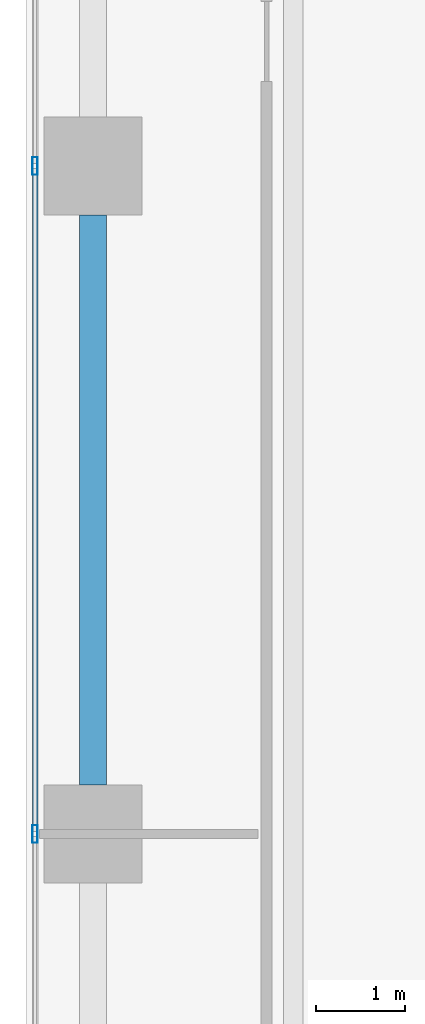
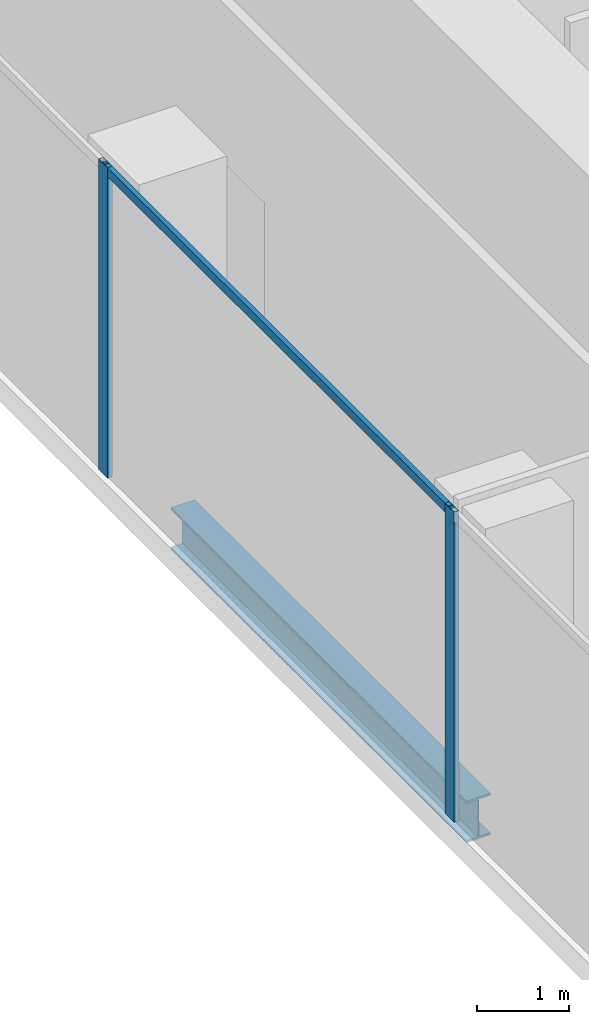
# One storey, part 7 of 34: 3 members, 1 beam, 1 element without a shape of its own.
"""IFC4 building model written with IfcOpenShell, lengths in metres."""

from ifc_helpers import new_model, si_unit, direction, frame, origin, origin_2d, place, context, subcontext, project, spatial, hollow_rectangle, i_section, extrude, source, transform, mapped, material, material_profile, profile_set, type_object, element, aggregate, save


model = new_model("IFC4")

# Units and contexts
model_context = context("Model", 3, precision=1e-05, world=origin(), true_north=direction((0.0, 1.0)))
body_context = subcontext(model_context, "Body", "Model", "MODEL_VIEW")
ifc_project = project(units=[si_unit("LENGTHUNIT", "METRE"), si_unit("AREAUNIT", "SQUARE_METRE"), si_unit("VOLUMEUNIT", "CUBIC_METRE"), si_unit("PLANEANGLEUNIT", "RADIAN"), si_unit("MASSUNIT", "GRAM", prefix="KILO")], contexts=[model_context])

# Site, building, storey
site_placement = place(None, origin())
site = spatial("IfcSite", under=ifc_project, at=site_placement, CompositionType="ELEMENT")
building_placement = place(site_placement, origin())
building = spatial("IfcBuilding", under=site, at=building_placement, Name="Khomas Fold Tower", CompositionType="ELEMENT")
storey_placement = place(building_placement, frame((0.0, 0.0, 105.89990234375)))
storey = spatial("IfcBuildingStorey", under=building, at=storey_placement, Name="L22", CompositionType="ELEMENT", Elevation=105.89990234375)

# Beam
ifc_material_1 = material(Name="Steel S355", Category="steel")
ifc_material_profile_1 = material_profile(ifc_material_1, i_section(OverallWidth=0.300048828125, OverallDepth=0.550048828125, WebThickness=0.014892578125, FlangeThickness=0.029052734375, at=origin_2d()), Name="HE 550 B")
ifc_profile_set_1 = profile_set([ifc_material_profile_1], Name="Steel S355")
beam_type = type_object("IfcBeamType", Name="HE 550 B spandrel SB2", PredefinedType="SPANDREL", material=ifc_profile_set_1)
shared_shape_1 = source(origin(), body_context, "Body", "SweptSolid", [
    extrude(i_section(OverallWidth=0.300048828125, OverallDepth=0.550048828125, WebThickness=0.014892578125, FlangeThickness=0.029052734375, at=origin_2d()), origin(), (0.0, 0.0, 1.0), 6.39990234375),
])
beam_placement = place(storey_placement, frame((2.25, 20.050048828125, -0.574951171875), z_axis=(0.0, 1.0, 0.0), x_axis=(-1.0, 0.0, 0.0)))
element("IfcBeam", 1, at=beam_placement, inside=storey, type_object=beam_type, Name="SB2", PredefinedType="SPANDREL", context=body_context, shape_type="MappedRepresentation", body=[
    mapped(shared_shape_1, transform((0.0, 0.0, 0.0))),
])

# Curtain wall, members
ifc_material_2 = material(Name="Aluminium framed double glazing", Category="aluminium")
curtain_wall_type = type_object("IfcCurtainWallType", Name="SK-Unitised clear-glass wall, growing floors CW1", PredefinedType="NOTDEFINED", material=ifc_material_2)
curtain_wall_placement = place(storey_placement, origin())
curtain_wall = element("IfcCurtainWall", 2, at=curtain_wall_placement, inside=storey, type_object=curtain_wall_type, Name="CW1 run L22 09-0", PredefinedType="NOTDEFINED")
ifc_material_3 = material(Name="Aluminium", Category="aluminium")
ifc_material_profile_2 = material_profile(ifc_material_3, hollow_rectangle(XDim=0.06005859375, YDim=0.1201171875, WallThickness=0.00390625, at=origin_2d()), Name="SK-Unitised clear-glass wall, growing floors transom CW1-T")
ifc_profile_set_2 = profile_set([ifc_material_profile_2], Name="Aluminium")
member_type_1 = type_object("IfcMemberType", Name="SK-Unitised clear-glass wall, growing floors transom CW1-T", PredefinedType="USERDEFINED", material=ifc_profile_set_2)
shared_shape_2 = source(origin(), body_context, "Body", "SweptSolid", [
    extrude(hollow_rectangle(XDim=0.06005859375, YDim=0.1201171875, WallThickness=0.00390625, at=origin_2d()), origin(), (0.0, 0.0, 1.0), 7.43994140625),
])
member_1_placement = place(storey_placement, frame((1.60009765625, 26.969970703125, 4.0400390625), z_axis=(0.0, -1.0, 0.0), x_axis=(1.0, 0.0, 0.0)))
member_1 = element("IfcMember", 3, at=member_1_placement, type_object=member_type_1, Name="CW1 transom 5", ObjectType="TRANSOM", PredefinedType="USERDEFINED", context=body_context, shape_type="MappedRepresentation", body=[
    mapped(shared_shape_2, transform((0.0, 0.0, 0.0))),
])
ifc_material_4 = material(Name="Aluminium", Category="aluminium")
ifc_material_profile_3 = material_profile(ifc_material_4, hollow_rectangle(XDim=0.06005859375, YDim=0.199951171875, WallThickness=0.00390625, at=origin_2d()), Name="SK-Unitised clear-glass wall, growing floors mullion CW1-M")
ifc_profile_set_3 = profile_set([ifc_material_profile_3], Name="Aluminium")
member_type_2 = type_object("IfcMemberType", Name="SK-Unitised clear-glass wall, growing floors mullion CW1-M", PredefinedType="MULLION", material=ifc_profile_set_3)
shared_shape_3 = source(origin(), body_context, "Body", "SweptSolid", [
    extrude(hollow_rectangle(XDim=0.06005859375, YDim=0.199951171875, WallThickness=0.00390625, at=origin_2d()), origin(), (0.0, 0.0, 1.0), 4.10009765625),
])
member_2_placement = place(storey_placement, frame((1.60009765625, 27.0, 0.0), z_axis=(0.0, 0.0, 1.0), x_axis=(1.0, 0.0, 0.0)))
member_2 = element("IfcMember", 4, at=member_2_placement, type_object=member_type_2, Name="CW1 mullion 5", PredefinedType="MULLION", context=body_context, shape_type="MappedRepresentation", body=[
    mapped(shared_shape_3, transform((0.0, 0.0, 0.0))),
])
member_3_placement = place(storey_placement, frame((1.60009765625, 19.5, 0.0), z_axis=(0.0, 0.0, 1.0), x_axis=(1.0, 0.0, 0.0)))
member_3 = element("IfcMember", 5, at=member_3_placement, type_object=member_type_2, Name="CW1 mullion 6", PredefinedType="MULLION", context=body_context, shape_type="MappedRepresentation", body=[
    mapped(shared_shape_3, transform((0.0, 0.0, 0.0))),
])
aggregate(curtain_wall, [member_2, member_3, member_1])

save(model, "model.ifc")
